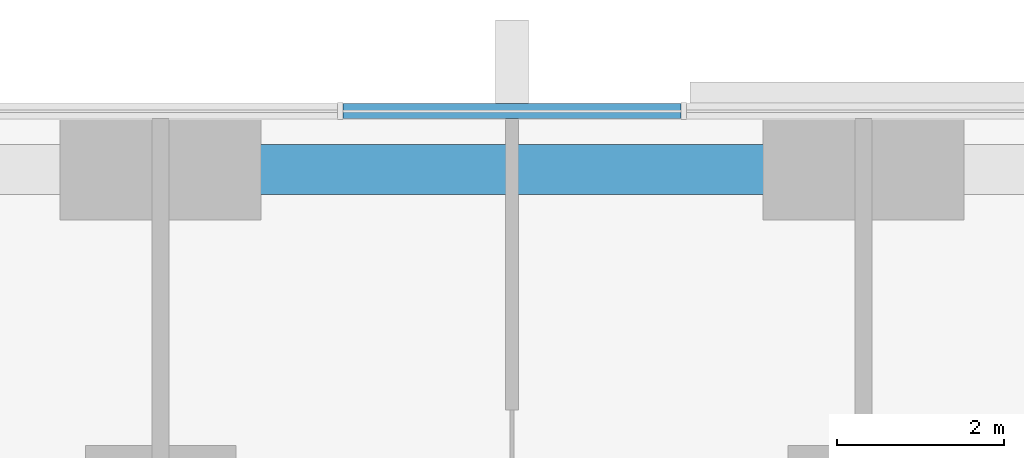
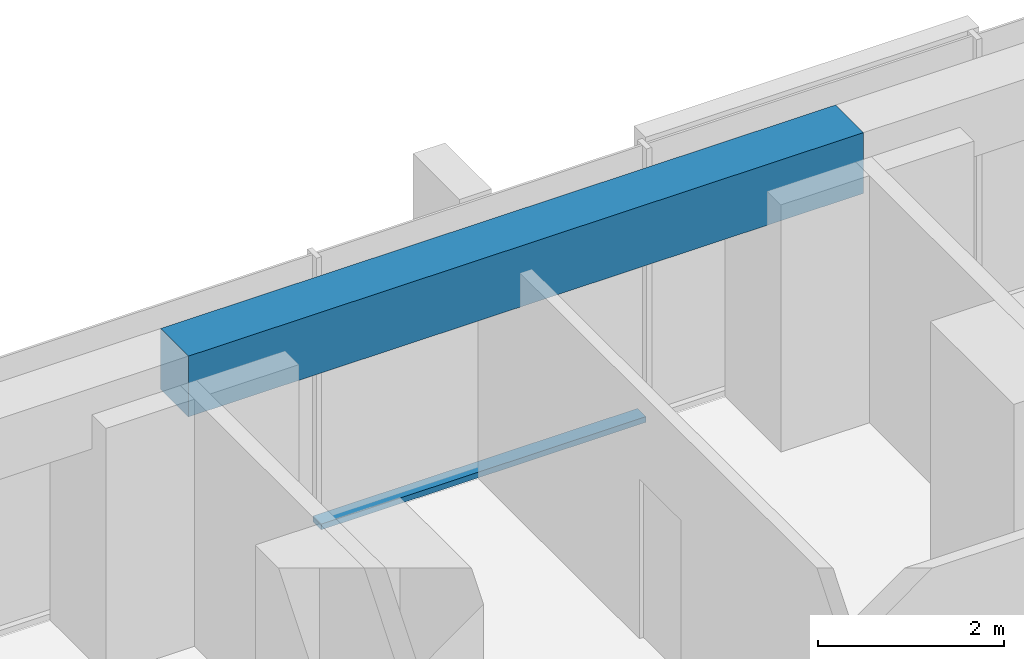
# One storey, part 7 of 17: 1 beam, 1 member, 1 element without a shape of its own.
"""IFC4 building model written with IfcOpenShell, lengths in metres."""

import ifcopenshell
import ifcopenshell.guid

model = None  # the IFC model being written
_history = None  # IfcOwnerHistory: only IFC2X3 demands one
_inside = {}  # id of a spatial element -> (the spatial element, [elements in it])
_under = {}  # id of a project, library or spatial element -> (it, [spatial elements below it])
_declared = {}  # id of a project -> (the project, [libraries it declares])
_typed = {}  # id of a type object -> (the type object, [elements of that type])
_made_of = {}  # id of a material, layer set ... -> (it, [elements and type objects made of it])


def new_model(schema):
    """Start an empty IFC model of exactly this schema.

    Asked for "IFC4X3", IfcOpenShell would pick the latest addendum, in which some entities
    have other attributes; the version numbers below select the first issue.
    IFC2X3 requires an IfcOwnerHistory on every rooted entity: one is made here for all.
    """
    global model, _history
    if schema == "IFC4X3":
        model = ifcopenshell.file(schema_version=(4, 3, 0, 0))
    else:
        model = ifcopenshell.file(schema=schema)
    _inside.clear()
    _under.clear()
    _declared.clear()
    _typed.clear()
    _made_of.clear()
    _history = None
    if model.schema == "IFC2X3":
        org = make("IfcOrganization", Name="unknown")
        user = make(
            "IfcPersonAndOrganization",
            ThePerson=make("IfcPerson", FamilyName="unknown"),
            TheOrganization=org,
        )
        app = make(
            "IfcApplication",
            ApplicationDeveloper=org,
            Version="unknown",
            ApplicationFullName="unknown",
            ApplicationIdentifier="unknown",
        )
        _history = make(
            "IfcOwnerHistory",
            OwningUser=user,
            OwningApplication=app,
            ChangeAction="ADDED",
            CreationDate=0,
        )
    return model


def make(cls, **values):
    """One entity of the class cls with the attributes given. An attribute that is None is left unset."""
    return model.create_entity(
        cls, **{name: value for name, value in values.items() if value is not None}
    )


def rooted(cls, **values):
    """An entity with a GlobalId (a new one), such as an element, a storey or a relation."""
    return make(cls, GlobalId=ifcopenshell.guid.new(), OwnerHistory=_history, **values)


def si_unit(unit_type, name, prefix=None):
    """IfcSIUnit, for example si_unit("LENGTHUNIT", "METRE", prefix="MILLI")."""
    return make("IfcSIUnit", UnitType=unit_type, Prefix=prefix, Name=name)


def assignment(units):
    """IfcUnitAssignment: the units of a project."""
    return None if units is None else make("IfcUnitAssignment", Units=units)


def point(xyz):
    """IfcCartesianPoint."""
    return None if xyz is None else make("IfcCartesianPoint", Coordinates=xyz)


def direction(xyz):
    """IfcDirection."""
    return None if xyz is None else make("IfcDirection", DirectionRatios=xyz)


def frame(location, z_axis=None, x_axis=None):
    """IfcAxis2Placement3D, a coordinate frame: its origin and axes. An axis left out is left unset."""
    return make(
        "IfcAxis2Placement3D",
        Location=point(location),
        Axis=direction(z_axis),
        RefDirection=direction(x_axis),
    )


def frame_2d(location, x_axis=None):
    """IfcAxis2Placement2D, a coordinate frame in the plane: its origin and x axis."""
    return make(
        "IfcAxis2Placement2D", Location=point(location), RefDirection=direction(x_axis)
    )


def origin():
    """The frame at (0, 0, 0) with its axes left unset."""
    return frame((0.0, 0.0, 0.0))


def origin_2d():
    """The frame at (0, 0) in the plane with its x axis left unset."""
    return frame_2d((0.0, 0.0))


def place(relative_to, where):
    """IfcLocalPlacement: puts the frame where relative to a parent placement (None: the world)."""
    return make(
        "IfcLocalPlacement", PlacementRelTo=relative_to, RelativePlacement=where
    )


def context(
    kind, dimensions, precision=None, world=None, true_north=None, identifier=None
):
    """IfcGeometricRepresentationContext, for example the 3D "Model" context."""
    return make(
        "IfcGeometricRepresentationContext",
        ContextIdentifier=identifier,
        ContextType=kind,
        CoordinateSpaceDimension=dimensions,
        Precision=precision,
        WorldCoordinateSystem=world,
        TrueNorth=true_north,
    )


def subcontext(parent, identifier, kind, view, scale=None):
    """IfcGeometricRepresentationSubContext, for example "Body" below "Model"."""
    return make(
        "IfcGeometricRepresentationSubContext",
        ContextIdentifier=identifier,
        ContextType=kind,
        ParentContext=parent,
        TargetScale=scale,
        TargetView=view,
    )


def project(units=None, contexts=None):
    """IfcProject with its units and contexts."""
    return rooted(
        "IfcProject",
        Name="project",
        RepresentationContexts=contexts,
        UnitsInContext=assignment(units),
    )


def spatial(cls, under=None, at=None, **own):
    """A site, building, storey or space (cls), placed at a placement, below another one or the project."""
    s = rooted(cls, ObjectPlacement=at, **own)
    if under is not None:
        _under.setdefault(under.id(), (under, []))[1].append(s)
    return s


def profile(cls, at=None, kind="AREA", **sizes):
    """A parametric profile (cls). Its sizes go by their IFC names, for example OverallWidth=200.0."""
    return make(cls, ProfileType=kind, Position=at, **sizes)


def rectangle(**sizes):
    """IfcRectangleProfileDef."""
    return profile("IfcRectangleProfileDef", **sizes)


def extrude(swept, where, along, depth):
    """IfcExtrudedAreaSolid: the profile swept, set in the frame where, extruded along a direction by depth."""
    return make(
        "IfcExtrudedAreaSolid",
        SweptArea=swept,
        Position=where,
        ExtrudedDirection=direction(along),
        Depth=depth,
    )


def shape(context_of_items, identifier, shape_type, items):
    """IfcShapeRepresentation: the items that make up one representation, for example the "Body"."""
    return make(
        "IfcShapeRepresentation",
        ContextOfItems=context_of_items,
        RepresentationIdentifier=identifier,
        RepresentationType=shape_type,
        Items=items,
    )


def material(Name=None, Category=None):
    """IfcMaterial."""
    return make("IfcMaterial", Name=Name, Category=Category)


def material_profile(
    of_material, cross_section, Name=None, Category=None, Priority=None
):
    """IfcMaterialProfile: a cross section and its material."""
    return make(
        "IfcMaterialProfile",
        Name=Name,
        Material=of_material,
        Profile=cross_section,
        Priority=Priority,
        Category=Category,
    )


def profile_set(profiles, Name=None, composite=None):
    """IfcMaterialProfileSet."""
    return make(
        "IfcMaterialProfileSet",
        Name=Name,
        MaterialProfiles=profiles,
        CompositeProfile=composite,
    )


def made_of(thing, what):
    """Note that an element or type object is made of a material, layer set ...; save() writes the relation."""
    if what is not None:
        _made_of.setdefault(what.id(), (what, []))[1].append(thing)
    return thing


def type_object(cls, material=None, **own):
    """A type object (cls), such as IfcWallType, which elements share."""
    return made_of(rooted(cls, **own), material)


def element(
    cls,
    number,
    at=None,
    inside=None,
    cuts=None,
    type_object=None,
    material=None,
    context=None,
    identifier="Body",
    shape_type=None,
    held_by="IfcProductDefinitionShape",
    body=None,
    shapes=None,
    **own,
):
    """One element of the class cls, such as IfcWall. Its Tag is "e" and its number.

    at: its placement. inside: the storey or other place that contains it. cuts: it is an
    opening in that element (IfcRelVoidsElement). A single representation is given by context,
    identifier, shape_type and body (its items); several are given by shapes. held_by: the class
    of the entity that holds the representations. save() writes the other relations.
    """
    e = rooted(cls, Tag="e%d" % number, ObjectPlacement=at, **own)
    if body is not None:
        shapes = [shape(context, identifier, shape_type, body)]
    if shapes is not None:
        e.Representation = make(held_by, Representations=shapes)
    if inside is not None:
        _inside.setdefault(inside.id(), (inside, []))[1].append(e)
    if cuts is not None:
        rooted(
            "IfcRelVoidsElement", RelatingBuildingElement=cuts, RelatedOpeningElement=e
        )
    if type_object is not None:
        _typed.setdefault(type_object.id(), (type_object, []))[1].append(e)
    return made_of(e, material)


def aggregate(whole, parts):
    """IfcRelAggregates: a whole, such as a stair, and the parts it consists of."""
    return rooted("IfcRelAggregates", RelatingObject=whole, RelatedObjects=parts)


def save(model, path):
    """Write the relations noted so far, then the file.

    IfcRelAggregates (storeys below a building ...), IfcRelContainedInSpatialStructure (elements
    in a storey), IfcRelDefinesByType, IfcRelAssociatesMaterial and IfcRelDeclares: one each for
    every whole, place, type object, material and project.
    """
    for whole, parts in _under.values():
        aggregate(whole, parts)
    for where, things in _inside.values():
        rooted(
            "IfcRelContainedInSpatialStructure",
            RelatedElements=things,
            RelatingStructure=where,
        )
    for kind, things in _typed.values():
        rooted("IfcRelDefinesByType", RelatedObjects=things, RelatingType=kind)
    for what, things in _made_of.values():
        rooted("IfcRelAssociatesMaterial", RelatedObjects=things, RelatingMaterial=what)
    for by, libraries in _declared.values():
        rooted("IfcRelDeclares", RelatingContext=by, RelatedDefinitions=libraries)
    model.write(path)


model = new_model("IFC4")

# Units and contexts
model_context = context("Model", 3, precision=1e-05, world=origin(), true_north=direction((0.0, 1.0)))
body_context = subcontext(model_context, "Body", "Model", "MODEL_VIEW")
ifc_project = project(units=[si_unit("LENGTHUNIT", "METRE"), si_unit("AREAUNIT", "SQUARE_METRE"), si_unit("VOLUMEUNIT", "CUBIC_METRE"), si_unit("PLANEANGLEUNIT", "RADIAN"), si_unit("MASSUNIT", "GRAM", prefix="KILO")], contexts=[model_context])

# Site, building, storey
site_placement = place(None, origin())
site = spatial("IfcSite", under=ifc_project, at=site_placement, CompositionType="ELEMENT")
building_placement = place(site_placement, origin())
building = spatial("IfcBuilding", under=site, at=building_placement, Name="Dunama Terrace Hotel", CompositionType="ELEMENT")
storey_placement = place(building_placement, frame((0.0, 0.0, 52.199951171875)))
storey = spatial("IfcBuildingStorey", under=building, at=storey_placement, Name="L12", CompositionType="ELEMENT", Elevation=52.199951171875)

# Curtain wall, member
ifc_material_1 = material(Name="Aluminium curtain wall system", Category="aluminium")
curtain_wall_type = type_object("IfcCurtainWallType", Name="Unitised fritted glass wall CW-A", PredefinedType="NOTDEFINED", material=ifc_material_1)
curtain_wall_placement = place(storey_placement, origin())
curtain_wall = element("IfcCurtainWall", 1, at=curtain_wall_placement, inside=storey, type_object=curtain_wall_type, Name="Unitised fritted glass wall CW-A L12", PredefinedType="NOTDEFINED")
ifc_material_2 = material(Name="Aluminium transom", Category="aluminium")
ifc_material_profile_1 = material_profile(ifc_material_2, rectangle(XDim=0.179931640625, YDim=0.074951171875, at=origin_2d()), Name="CWA TRANSOM 180X75")
ifc_profile_set_1 = profile_set([ifc_material_profile_1], Name="Aluminium transom")
member_type = type_object("IfcMemberType", Name="CWA transom 180x75", PredefinedType="USERDEFINED", material=ifc_profile_set_1)
member_placement = place(storey_placement, frame((31.4208984375, 58.89990234375, 0.03759765625), z_axis=(-1.0, 0.0, 0.0), x_axis=(0.0, -1.0, 0.0)))
member = element("IfcMember", 2, at=member_placement, type_object=member_type, Name="CWA transom", ObjectType="TRANSOM", PredefinedType="USERDEFINED", context=body_context, shape_type="SweptSolid", body=[
    extrude(rectangle(XDim=0.179931640625, YDim=0.074951171875, at=origin_2d()), origin(), (0.0, 0.0, 1.0), 4.0419921875),
])
aggregate(curtain_wall, [member])

# Beam
ifc_material_3 = material(Name="Concrete C40/50", Category="concrete")
ifc_material_profile_2 = material_profile(ifc_material_3, rectangle(XDim=0.60009765625, YDim=0.800048828125, at=origin_2d()), Name="RC 600x800")
ifc_profile_set_2 = profile_set([ifc_material_profile_2], Name="Concrete C40/50")
beam_type = type_object("IfcBeamType", Name="Edge beam RC 600x800", PredefinedType="SPANDREL", material=ifc_profile_set_2)
beam_placement = place(storey_placement, frame((25.199951171875, 58.199951171875, 3.199951171875), z_axis=(1.0, 0.0, 0.0), x_axis=(0.0, 1.0, 0.0)))
element("IfcBeam", 3, at=beam_placement, inside=storey, type_object=beam_type, Name="Edge beam under L13", PredefinedType="SPANDREL", context=body_context, shape_type="SweptSolid", body=[
    extrude(rectangle(XDim=0.60009765625, YDim=0.800048828125, at=origin_2d()), origin(), (0.0, 0.0, 1.0), 8.400146484375),
])

save(model, "model.ifc")
